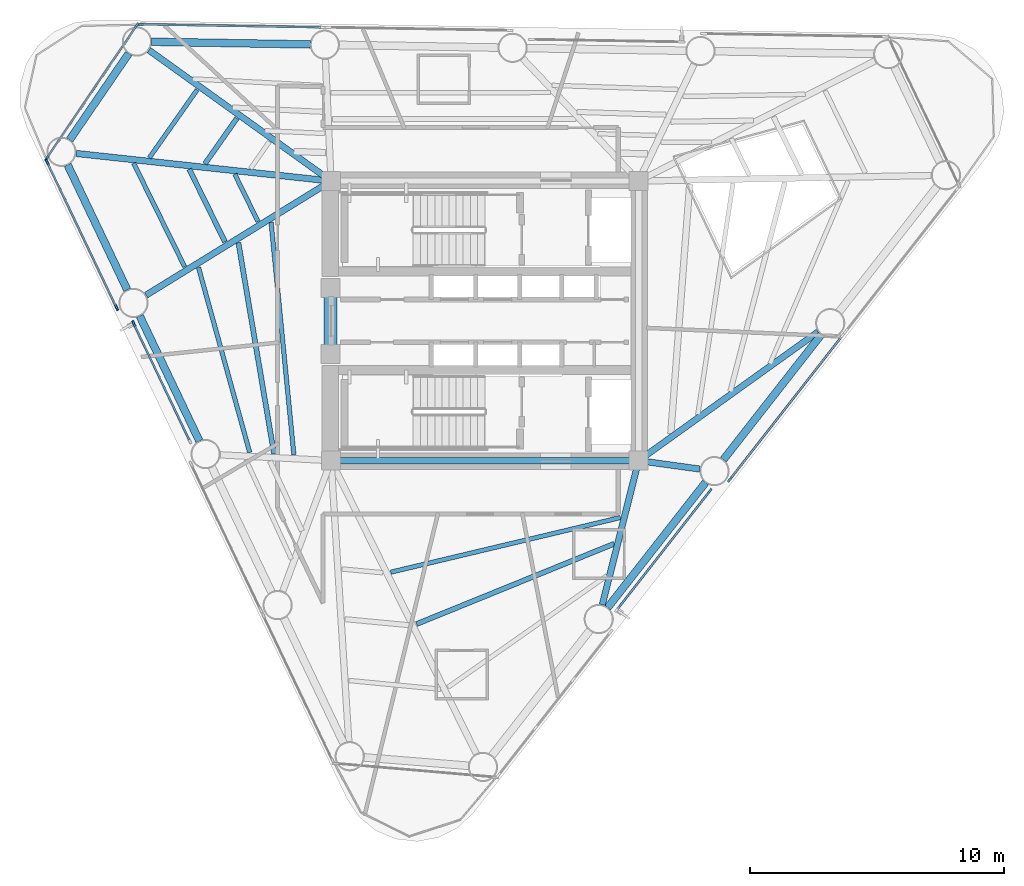
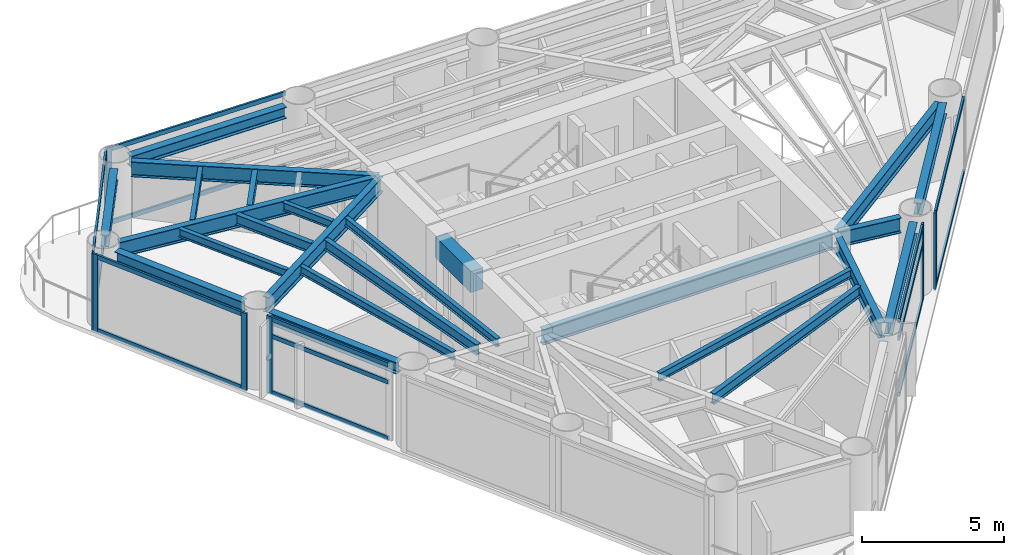
# One storey, part 2 of 10: 24 beams, 22 members, 6 elements without a shape of their own.
"""IFC4 building model written with IfcOpenShell, lengths in metres."""

from ifc_helpers import new_model, si_unit, direction, frame, origin, origin_2d, place, context, subcontext, project, spatial, rectangle, i_section, extrude, source, transform, mapped, material, layer, layer_set, material_profile, profile_set, type_object, element, aggregate, save


model = new_model("IFC4")

# Units and contexts
model_context = context("Model", 3, precision=1e-05, world=origin(), true_north=direction((0.0, 1.0)))
body_context = subcontext(model_context, "Body", "Model", "MODEL_VIEW")
ifc_project = project(units=[si_unit("LENGTHUNIT", "METRE"), si_unit("AREAUNIT", "SQUARE_METRE"), si_unit("VOLUMEUNIT", "CUBIC_METRE"), si_unit("PLANEANGLEUNIT", "RADIAN"), si_unit("MASSUNIT", "GRAM", prefix="KILO")], contexts=[model_context])

# Site, building, storey
site_placement = place(None, origin())
site = spatial("IfcSite", under=ifc_project, at=site_placement, CompositionType="ELEMENT")
building_placement = place(site_placement, origin())
building = spatial("IfcBuilding", under=site, at=building_placement, Name="Yunling Apex Tower", CompositionType="ELEMENT")
storey_placement = place(building_placement, frame((0.0, 0.0, 215.60009765625)))
storey = spatial("IfcBuildingStorey", under=building, at=storey_placement, Name="L53", CompositionType="ELEMENT", Elevation=215.60009765625)

# Beams
ifc_material_1 = material(Name="Concrete C50", Category="concrete")
ifc_material_profile_1 = material_profile(ifc_material_1, rectangle(XDim=0.5, YDim=0.89990234375, at=origin_2d()))
ifc_profile_set_1 = profile_set([ifc_material_profile_1], Name="Concrete C50")
beam_type_1 = type_object("IfcBeamType", Name="BC-CPL-2", PredefinedType="BEAM", material=ifc_profile_set_1)
shared_shape_1 = source(origin(), body_context, "Body", "SweptSolid", [
    extrude(rectangle(XDim=0.5, YDim=0.89990234375, at=origin_2d()), origin(), (0.0, 0.0, 1.0), 2.5),
])
beam_1_placement = place(storey_placement, frame((-6.074951171875, -1.25, 2.77978515625), z_axis=(0.0, 1.0, 0.0), x_axis=(-1.0, 0.0, 0.0)))
element("IfcBeam", 1, at=beam_1_placement, inside=storey, type_object=beam_type_1, Name="L53 Core West Portal Coupling Beam", PredefinedType="BEAM", context=body_context, shape_type="MappedRepresentation", body=[
    mapped(shared_shape_1, transform((0.0, 0.0, 0.0), scale=1.0)),
])
ifc_material_2 = material(Name="Steel Q355B", Category="steel")
ifc_material_profile_2 = material_profile(ifc_material_2, i_section(OverallWidth=0.25, OverallDepth=0.64990234375, WebThickness=0.011962890625, FlangeThickness=0.02001953125, FilletRadius=0.02392578125, at=origin_2d()))
ifc_profile_set_2 = profile_set([ifc_material_profile_2], Name="Steel Q355B")
beam_type_2 = type_object("IfcBeamType", Name="BG-PRI-4", PredefinedType="USERDEFINED", material=ifc_profile_set_2)
shared_shape_2 = source(origin(), body_context, "Body", "SweptSolid", [
    extrude(i_section(OverallWidth=0.25, OverallDepth=0.64990234375, WebThickness=0.011962890625, FlangeThickness=0.02001953125, FilletRadius=0.02392578125, at=origin_2d()), origin(), (0.0, 0.0, 1.0), 11.7998046875),
])
beam_2_placement = place(storey_placement, frame((-5.89990234375, -5.5, 2.90478515625), z_axis=(1.0, 0.0, 0.0), x_axis=(0.0, 1.0, 0.0)))
element("IfcBeam", 2, at=beam_2_placement, inside=storey, type_object=beam_type_2, Name="L53 Core Ring Tie Beam 1", ObjectType="GIRDER", PredefinedType="USERDEFINED", context=body_context, shape_type="MappedRepresentation", body=[
    mapped(shared_shape_2, transform((0.0, 0.0, 0.0), scale=1.0)),
])
ifc_material_profile_3 = material_profile(ifc_material_2, i_section(OverallWidth=0.300048828125, OverallDepth=0.489990234375, WebThickness=0.010986328125, FlangeThickness=0.01806640625, FilletRadius=0.02197265625, at=origin_2d()))
ifc_profile_set_3 = profile_set([ifc_material_profile_3], Name="Steel Q355B")
beam_type_3 = type_object("IfcBeamType", Name="BP-SPN-2", PredefinedType="SPANDREL", material=ifc_profile_set_3)
shared_shape_3 = source(origin(), body_context, "Body", "SweptSolid", [
    extrude(i_section(OverallWidth=0.300048828125, OverallDepth=0.489990234375, WebThickness=0.010986328125, FlangeThickness=0.01806640625, FilletRadius=0.02197265625, at=origin_2d()), origin(), (0.0, 0.0, 1.0), 6.253173828125),
])
for number, where, z_axis, x_axis, name in (
    (3, (4.831298828125, -11.2841796875, 2.98486328125), (0.61621666878, 0.787576673803, 0.0), (-0.787576673803, 0.61621666878, 0.0), "L53 Perimeter Spandrel Beam 2"),
    (4, (9.3857421875, -5.463134765625, 2.98486328125), (0.61621666878, 0.787576673803, 0.0), (-0.787576673803, 0.61621666878, 0.0), "L53 Perimeter Spandrel Beam 3"),
    (5, (-6.86669921875, 10.875, 2.98486328125), (-0.999859061432, 0.016788605428, 0.0), (-0.016788605428, -0.999859061432, 0.0), "L53 Perimeter Spandrel Beam 9"),
):
    element("IfcBeam", number, at=place(storey_placement, frame(where, z_axis=z_axis, x_axis=x_axis)), inside=storey, type_object=beam_type_3, Name=name, PredefinedType="SPANDREL", context=body_context, shape_type="MappedRepresentation", body=[
        mapped(shared_shape_3, transform((0.0, 0.0, 0.0), scale=1.0)),
    ])
shared_shape_4 = source(origin(), body_context, "Body", "SweptSolid", [
    extrude(i_section(OverallWidth=0.300048828125, OverallDepth=0.489990234375, WebThickness=0.010986328125, FlangeThickness=0.01806640625, FilletRadius=0.02197265625, at=origin_2d()), origin(), (0.0, 0.0, 1.0), 4.121337890625),
])
beam_3_placement = place(storey_placement, frame((-14.009033203125, 10.519775390625, 2.98486328125), z_axis=(-0.564775228093, -0.825244776858, 0.0), x_axis=(0.825244776858, -0.564775228093, 0.0)))
element("IfcBeam", 6, at=beam_3_placement, inside=storey, type_object=beam_type_3, Name="L53 Perimeter Spandrel Beam 10", PredefinedType="SPANDREL", context=body_context, shape_type="MappedRepresentation", body=[
    mapped(shared_shape_4, transform((0.0, 0.0, 0.0), scale=1.0)),
])
shared_shape_5 = source(origin(), body_context, "Body", "SweptSolid", [
    extrude(i_section(OverallWidth=0.300048828125, OverallDepth=0.489990234375, WebThickness=0.010986328125, FlangeThickness=0.01806640625, FilletRadius=0.02197265625, at=origin_2d()), origin(), (0.0, 0.0, 1.0), 5.4482421875),
])
for number, where, z_axis, x_axis, name in (
    (7, (-16.4130859375, 6.135498046875, 2.98486328125), (0.430538797564, -0.902572071246, 0.0), (0.902572071246, 0.430538797564, 0.0), "L53 Perimeter Spandrel Beam 11"),
    (8, (-13.577392578125, 0.190673828125, 2.98486328125), (0.430502292287, -0.902589483839, 0.0), (0.902589483839, 0.430502292287, 0.0), "L53 Perimeter Spandrel Beam 12"),
):
    element("IfcBeam", number, at=place(storey_placement, frame(where, z_axis=z_axis, x_axis=x_axis)), inside=storey, type_object=beam_type_3, Name=name, PredefinedType="SPANDREL", context=body_context, shape_type="MappedRepresentation", body=[
        mapped(shared_shape_5, transform((0.0, 0.0, 0.0), scale=1.0)),
    ])
shared_shape_6 = source(origin(), body_context, "Body", "SweptSolid", [
    extrude(i_section(OverallWidth=0.25, OverallDepth=0.64990234375, WebThickness=0.011962890625, FlangeThickness=0.02001953125, FilletRadius=0.02392578125, at=origin_2d()), origin(), (0.0, 0.0, 1.0), 5.763427734375),
])
beam_4_placement = place(storey_placement, frame((4.623291015625, -11.166748046875, 2.90478515625), z_axis=(0.244159894622, 0.969734987436, 0.0), x_axis=(-0.969734987436, 0.244159894622, 0.0)))
element("IfcBeam", 9, at=beam_4_placement, inside=storey, type_object=beam_type_2, Name="L53 Radial Primary Girder R02", ObjectType="GIRDER", PredefinedType="USERDEFINED", context=body_context, shape_type="MappedRepresentation", body=[
    mapped(shared_shape_6, transform((0.0, 0.0, 0.0), scale=1.0)),
])
shared_shape_7 = source(origin(), body_context, "Body", "SweptSolid", [
    extrude(i_section(OverallWidth=0.25, OverallDepth=0.64990234375, WebThickness=0.011962890625, FlangeThickness=0.02001953125, FilletRadius=0.02392578125, at=origin_2d()), origin(), (0.0, 0.0, 1.0), 2.35009765625),
])
beam_5_placement = place(storey_placement, frame((8.45751953125, -5.831787109375, 2.90478515625), z_axis=(-0.990639545436, 0.136503813203, 0.0), x_axis=(-0.136503813203, -0.990639545436, 0.0)))
element("IfcBeam", 10, at=beam_5_placement, inside=storey, type_object=beam_type_2, Name="L53 Radial Primary Girder R03", ObjectType="GIRDER", PredefinedType="USERDEFINED", context=body_context, shape_type="MappedRepresentation", body=[
    mapped(shared_shape_7, transform((0.0, 0.0, 0.0), scale=1.0)),
])
shared_shape_8 = source(origin(), body_context, "Body", "SweptSolid", [
    extrude(i_section(OverallWidth=0.25, OverallDepth=0.64990234375, WebThickness=0.011962890625, FlangeThickness=0.02001953125, FilletRadius=0.02392578125, at=origin_2d()), origin(), (0.0, 0.0, 1.0), 8.616455078125),
])
beam_6_placement = place(storey_placement, frame((13.11572265625, -0.43017578125, 2.90478515625), z_axis=(-0.812487192657, -0.58297904059, 0.0), x_axis=(0.58297904059, -0.812487192657, 0.0)))
element("IfcBeam", 11, at=beam_6_placement, inside=storey, type_object=beam_type_2, Name="L53 Radial Primary Girder R04", ObjectType="GIRDER", PredefinedType="USERDEFINED", context=body_context, shape_type="MappedRepresentation", body=[
    mapped(shared_shape_8, transform((0.0, 0.0, 0.0), scale=1.0)),
])
shared_shape_9 = source(origin(), body_context, "Body", "SweptSolid", [
    extrude(i_section(OverallWidth=0.25, OverallDepth=0.64990234375, WebThickness=0.011962890625, FlangeThickness=0.02001953125, FilletRadius=0.02392578125, at=origin_2d()), origin(), (0.0, 0.0, 1.0), 8.742919921875),
])
beam_7_placement = place(storey_placement, frame((-13.21435546875, 10.649169921875, 2.90478515625), z_axis=(0.812022401907, -0.583626266373, 0.0), x_axis=(0.583626266373, 0.812022401907, 0.0)))
element("IfcBeam", 12, at=beam_7_placement, inside=storey, type_object=beam_type_2, Name="L53 Radial Primary Girder R10", ObjectType="GIRDER", PredefinedType="USERDEFINED", context=body_context, shape_type="MappedRepresentation", body=[
    mapped(shared_shape_9, transform((0.0, 0.0, 0.0), scale=1.0)),
])
shared_shape_10 = source(origin(), body_context, "Body", "SweptSolid", [
    extrude(i_section(OverallWidth=0.25, OverallDepth=0.64990234375, WebThickness=0.011962890625, FlangeThickness=0.02001953125, FilletRadius=0.02392578125, at=origin_2d()), origin(), (0.0, 0.0, 1.0), 10.007080078125),
])
beam_8_placement = place(storey_placement, frame((-16.078369140625, 6.586181640625, 2.90478515625), z_axis=(0.994184902243, -0.107686490111, 0.0), x_axis=(0.107686490111, 0.994184902243, 0.0)))
element("IfcBeam", 13, at=beam_8_placement, inside=storey, type_object=beam_type_2, Name="L53 Radial Primary Girder R11", ObjectType="GIRDER", PredefinedType="USERDEFINED", context=body_context, shape_type="MappedRepresentation", body=[
    mapped(shared_shape_10, transform((0.0, 0.0, 0.0), scale=1.0)),
])
shared_shape_11 = source(origin(), body_context, "Body", "SweptSolid", [
    extrude(i_section(OverallWidth=0.25, OverallDepth=0.64990234375, WebThickness=0.011962890625, FlangeThickness=0.02001953125, FilletRadius=0.02392578125, at=origin_2d()), origin(), (0.0, 0.0, 1.0), 8.4697265625),
])
beam_9_placement = place(storey_placement, frame((-13.326171875, 1.010498046875, 2.90478515625), z_axis=(0.851035190572, 0.525108659621, 0.0), x_axis=(-0.525108659621, 0.851035190572, 0.0)))
element("IfcBeam", 14, at=beam_9_placement, inside=storey, type_object=beam_type_2, Name="L53 Radial Primary Girder R12", ObjectType="GIRDER", PredefinedType="USERDEFINED", context=body_context, shape_type="MappedRepresentation", body=[
    mapped(shared_shape_11, transform((0.0, 0.0, 0.0), scale=1.0)),
])
ifc_material_profile_4 = material_profile(ifc_material_2, i_section(OverallWidth=0.199951171875, OverallDepth=0.449951171875, WebThickness=0.009033203125, FlangeThickness=0.013916015625, FilletRadius=0.01806640625, at=origin_2d()))
ifc_profile_set_4 = profile_set([ifc_material_profile_4], Name="Steel Q355B")
beam_type_4 = type_object("IfcBeamType", Name="BS-SEC-3", PredefinedType="BEAM", material=ifc_profile_set_4)
shared_shape_12 = source(origin(), body_context, "Body", "SweptSolid", [
    extrude(i_section(OverallWidth=0.199951171875, OverallDepth=0.449951171875, WebThickness=0.009033203125, FlangeThickness=0.013916015625, FilletRadius=0.01806640625, at=origin_2d()), origin(), (0.0, 0.0, 1.0), 8.396240234375),
])
beam_10_placement = place(storey_placement, frame((-2.684326171875, -11.9287109375, 3.0048828125), z_axis=(0.926431402479, 0.376463619092, 0.0), x_axis=(-0.376463619092, 0.926431402479, 0.0)))
element("IfcBeam", 15, at=beam_10_placement, inside=storey, type_object=beam_type_4, Name="L53 Composite Floor Beam BS-1", PredefinedType="BEAM", context=body_context, shape_type="MappedRepresentation", body=[
    mapped(shared_shape_12, transform((0.0, 0.0, 0.0), scale=1.0)),
])
ifc_material_profile_5 = material_profile(ifc_material_2, i_section(OverallWidth=0.175048828125, OverallDepth=0.35009765625, WebThickness=0.007080078125, FlangeThickness=0.010986328125, FilletRadius=0.013916015625, at=origin_2d()))
ifc_profile_set_5 = profile_set([ifc_material_profile_5], Name="Steel Q355B")
beam_type_5 = type_object("IfcBeamType", Name="BJ-JST-1", PredefinedType="JOIST", material=ifc_profile_set_5)
shared_shape_13 = source(origin(), body_context, "Body", "SweptSolid", [
    extrude(i_section(OverallWidth=0.175048828125, OverallDepth=0.35009765625, WebThickness=0.007080078125, FlangeThickness=0.010986328125, FilletRadius=0.013916015625, at=origin_2d()), origin(), (0.0, 0.0, 1.0), 9.2919921875),
])
beam_11_placement = place(storey_placement, frame((-3.69970703125, -9.88916015625, 3.054931640625), z_axis=(0.972847358166, 0.231447656523, 0.0), x_axis=(-0.231447656523, 0.972847358166, 0.0)))
element("IfcBeam", 16, at=beam_11_placement, inside=storey, type_object=beam_type_5, Name="L53 Composite Floor Joist BJ3-1", PredefinedType="JOIST", context=body_context, shape_type="MappedRepresentation", body=[
    mapped(shared_shape_13, transform((0.0, 0.0, 0.0), scale=1.0)),
])
shared_shape_14 = source(origin(), body_context, "Body", "SweptSolid", [
    extrude(i_section(OverallWidth=0.199951171875, OverallDepth=0.449951171875, WebThickness=0.009033203125, FlangeThickness=0.013916015625, FilletRadius=0.01806640625, at=origin_2d()), origin(), (0.0, 0.0, 1.0), 2.18505859375),
])
beam_12_placement = place(storey_placement, frame((-9.756591796875, 7.966796875, 3.0048828125), z_axis=(-0.57454920808, -0.818470040682, 0.0), x_axis=(0.818470040682, -0.57454920808, 0.0)))
element("IfcBeam", 17, at=beam_12_placement, inside=storey, type_object=beam_type_4, Name="L53 Composite Floor Beam BS-10", PredefinedType="BEAM", context=body_context, shape_type="MappedRepresentation", body=[
    mapped(shared_shape_14, transform((0.0, 0.0, 0.0), scale=1.0)),
])
shared_shape_15 = source(origin(), body_context, "Body", "SweptSolid", [
    extrude(i_section(OverallWidth=0.175048828125, OverallDepth=0.35009765625, WebThickness=0.007080078125, FlangeThickness=0.010986328125, FilletRadius=0.013916015625, at=origin_2d()), origin(), (0.0, 0.0, 1.0), 3.270263671875),
])
beam_13_placement = place(storey_placement, frame((-11.318603515625, 9.089599609375, 3.054931640625), z_axis=(-0.575524843555, -0.817784295797, 0.0), x_axis=(0.817784295797, -0.575524843555, 0.0)))
element("IfcBeam", 18, at=beam_13_placement, inside=storey, type_object=beam_type_5, Name="L53 Composite Floor Joist BJ1-10", PredefinedType="JOIST", context=body_context, shape_type="MappedRepresentation", body=[
    mapped(shared_shape_15, transform((0.0, 0.0, 0.0), scale=1.0)),
])
shared_shape_16 = source(origin(), body_context, "Body", "SweptSolid", [
    extrude(i_section(OverallWidth=0.199951171875, OverallDepth=0.449951171875, WebThickness=0.009033203125, FlangeThickness=0.013916015625, FilletRadius=0.01806640625, at=origin_2d()), origin(), (0.0, 0.0, 1.0), 3.1845703125),
])
beam_14_placement = place(storey_placement, frame((-11.63037109375, 5.968505859375, 3.0048828125), z_axis=(0.441285246196, -0.897366887895, 0.0), x_axis=(0.897366887895, 0.441285246196, 0.0)))
element("IfcBeam", 19, at=beam_14_placement, inside=storey, type_object=beam_type_4, Name="L53 Composite Floor Beam BS-11", PredefinedType="BEAM", context=body_context, shape_type="MappedRepresentation", body=[
    mapped(shared_shape_16, transform((0.0, 0.0, 0.0), scale=1.0)),
])
shared_shape_17 = source(origin(), body_context, "Body", "SweptSolid", [
    extrude(i_section(OverallWidth=0.175048828125, OverallDepth=0.35009765625, WebThickness=0.007080078125, FlangeThickness=0.010986328125, FilletRadius=0.013916015625, at=origin_2d()), origin(), (0.0, 0.0, 1.0), 4.541259765625),
])
beam_15_placement = place(storey_placement, frame((-13.81884765625, 6.205810546875, 3.054931640625), z_axis=(0.442066776363, -0.896982143209, 0.0), x_axis=(0.896982143209, 0.442066776363, 0.0)))
element("IfcBeam", 20, at=beam_15_placement, inside=storey, type_object=beam_type_5, Name="L53 Composite Floor Joist BJ1-11", PredefinedType="JOIST", context=body_context, shape_type="MappedRepresentation", body=[
    mapped(shared_shape_17, transform((0.0, 0.0, 0.0), scale=1.0)),
])
shared_shape_18 = source(origin(), body_context, "Body", "SweptSolid", [
    extrude(i_section(OverallWidth=0.175048828125, OverallDepth=0.35009765625, WebThickness=0.007080078125, FlangeThickness=0.010986328125, FilletRadius=0.013916015625, at=origin_2d()), origin(), (0.0, 0.0, 1.0), 2.07421875),
])
beam_16_placement = place(storey_placement, frame((-9.839599609375, 5.7744140625, 3.054931640625), z_axis=(0.439758949759, -0.898115842254, 0.0), x_axis=(0.898115842254, 0.439758949759, 0.0)))
element("IfcBeam", 21, at=beam_16_placement, inside=storey, type_object=beam_type_5, Name="L53 Composite Floor Joist BJ3-11", PredefinedType="JOIST", context=body_context, shape_type="MappedRepresentation", body=[
    mapped(shared_shape_18, transform((0.0, 0.0, 0.0), scale=1.0)),
])
shared_shape_19 = source(origin(), body_context, "Body", "SweptSolid", [
    extrude(i_section(OverallWidth=0.199951171875, OverallDepth=0.449951171875, WebThickness=0.009033203125, FlangeThickness=0.013916015625, FilletRadius=0.01806640625, at=origin_2d()), origin(), (0.0, 0.0, 1.0), 8.41943359375),
])
beam_17_placement = place(storey_placement, frame((-9.695556640625, 3.076416015625, 3.0048828125), z_axis=(0.16647230798, -0.986046130095, 0.0), x_axis=(0.986046130095, 0.16647230798, 0.0)))
element("IfcBeam", 22, at=beam_17_placement, inside=storey, type_object=beam_type_4, Name="L53 Composite Floor Beam BS-12", PredefinedType="BEAM", context=body_context, shape_type="MappedRepresentation", body=[
    mapped(shared_shape_19, transform((0.0, 0.0, 0.0), scale=1.0)),
])
shared_shape_20 = source(origin(), body_context, "Body", "SweptSolid", [
    extrude(i_section(OverallWidth=0.175048828125, OverallDepth=0.35009765625, WebThickness=0.007080078125, FlangeThickness=0.010986328125, FilletRadius=0.013916015625, at=origin_2d()), origin(), (0.0, 0.0, 1.0), 7.554931640625),
])
beam_18_placement = place(storey_placement, frame((-11.265380859375, 2.1015625, 3.054931640625), z_axis=(0.266700380195, -0.963779490965, 0.0), x_axis=(0.963779490965, 0.266700380195, 0.0)))
element("IfcBeam", 23, at=beam_18_placement, inside=storey, type_object=beam_type_5, Name="L53 Composite Floor Joist BJ1-12", PredefinedType="JOIST", context=body_context, shape_type="MappedRepresentation", body=[
    mapped(shared_shape_20, transform((0.0, 0.0, 0.0), scale=1.0)),
])
shared_shape_21 = source(origin(), body_context, "Body", "SweptSolid", [
    extrude(i_section(OverallWidth=0.175048828125, OverallDepth=0.35009765625, WebThickness=0.007080078125, FlangeThickness=0.010986328125, FilletRadius=0.013916015625, at=origin_2d()), origin(), (0.0, 0.0, 1.0), 9.183837890625),
])
beam_19_placement = place(storey_placement, frame((-8.4091796875, 3.87548828125, 3.054931640625), z_axis=(0.097534767925, -0.995232118174, 0.0), x_axis=(0.995232118174, 0.097534767925, 0.0)))
element("IfcBeam", 24, at=beam_19_placement, inside=storey, type_object=beam_type_5, Name="L53 Composite Floor Joist BJ3-12", PredefinedType="JOIST", context=body_context, shape_type="MappedRepresentation", body=[
    mapped(shared_shape_21, transform((0.0, 0.0, 0.0), scale=1.0)),
])

# Curtain wall, member
ifc_material_3 = material(Name="Bronze anodised aluminium", Category="aluminium")
ifc_layer = layer(ifc_material_3, 0.239990234375)
ifc_layer_set = layer_set([ifc_layer], Name="Bronze anodised aluminium")
curtain_wall_type = type_object("IfcCurtainWallType", Name="CW-SYS-3", PredefinedType="NOTDEFINED", material=ifc_layer_set)
curtain_wall_1_placement = place(storey_placement, origin())
curtain_wall_1 = element("IfcCurtainWall", 25, at=curtain_wall_1_placement, inside=storey, type_object=curtain_wall_type, Name="CW-L53-F1-B2", PredefinedType="NOTDEFINED")
ifc_material_profile_6 = material_profile(ifc_material_3, rectangle(XDim=0.080078125, YDim=0.239990234375, at=origin_2d()))
ifc_profile_set_6 = profile_set([ifc_material_profile_6], Name="Bronze anodised aluminium")
member_type_1 = type_object("IfcMemberType", Name="CW-MUL-3", PredefinedType="MULLION", material=ifc_profile_set_6)
shared_shape_22 = source(origin(), body_context, "Body", "SweptSolid", [
    extrude(rectangle(XDim=0.080078125, YDim=0.239990234375, at=origin_2d()), origin(), (0.0, 0.0, 1.0), 3.329833984375),
])
member_1_placement = place(storey_placement, frame((8.846923828125, -6.70361328125, -0.050048828125), z_axis=(0.0, 0.0, 1.0), x_axis=(-0.787576499109, 0.616216892053, 0.0)))
member_1 = element("IfcMember", 26, at=member_1_placement, type_object=member_type_1, Name="CW-SYS-3 mullion 2", PredefinedType="MULLION", context=body_context, shape_type="MappedRepresentation", body=[
    mapped(shared_shape_22, transform((0.0, 0.0, 0.0), scale=1.0)),
])

curtain_wall_2_placement = place(storey_placement, origin())
curtain_wall_2 = element("IfcCurtainWall", 27, at=curtain_wall_2_placement, inside=storey, type_object=curtain_wall_type, Name="CW-L53-F1-B3", PredefinedType="NOTDEFINED")
member_2_placement = place(storey_placement, frame((9.64453125, -6.23583984375, -0.050048828125), z_axis=(0.0, 0.0, 1.0), x_axis=(-0.787589332433, 0.616200489644, 0.0)))
member_2 = element("IfcMember", 28, at=member_2_placement, type_object=member_type_1, Name="CW-SYS-3 mullion 1", PredefinedType="MULLION", context=body_context, shape_type="MappedRepresentation", body=[
    mapped(shared_shape_22, transform((0.0, 0.0, 0.0), scale=1.0)),
])

curtain_wall_3_placement = place(storey_placement, origin())
curtain_wall_3 = element("IfcCurtainWall", 29, at=curtain_wall_3_placement, inside=storey, type_object=curtain_wall_type, Name="CW-L53-F2-B4", PredefinedType="NOTDEFINED")
member_3_placement = place(storey_placement, frame((-13.556396484375, 11.667236328125, -0.050048828125), z_axis=(0.0, 0.0, 1.0), x_axis=(-0.016761362354, -0.999859518498, 0.0)))
member_3 = element("IfcMember", 30, at=member_3_placement, type_object=member_type_1, Name="CW-SYS-3 mullion 2", PredefinedType="MULLION", context=body_context, shape_type="MappedRepresentation", body=[
    mapped(shared_shape_22, transform((0.0, 0.0, 0.0), scale=1.0)),
])

# Curtain wall, members
curtain_wall_4_placement = place(storey_placement, origin())
curtain_wall_4 = element("IfcCurtainWall", 31, at=curtain_wall_4_placement, inside=storey, type_object=curtain_wall_type, Name="CW-L53-CRN2", PredefinedType="NOTDEFINED")
member_4_placement = place(storey_placement, frame((-13.698974609375, 11.6162109375, -0.050048828125), z_axis=(0.0, 0.0, 1.0), x_axis=(0.828106898006, -0.56057021458, 0.0)))
member_4 = element("IfcMember", 32, at=member_4_placement, type_object=member_type_1, Name="CW-SYS-3 mullion 1", PredefinedType="MULLION", context=body_context, shape_type="MappedRepresentation", body=[
    mapped(shared_shape_22, transform((0.0, 0.0, 0.0), scale=1.0)),
])
member_5_placement = place(storey_placement, frame((-17.231201171875, 6.398193359375, -0.050048828125), z_axis=(0.0, 0.0, 1.0), x_axis=(0.828106898006, -0.56057021458, 0.0)))
member_5 = element("IfcMember", 33, at=member_5_placement, type_object=member_type_1, Name="CW-SYS-3 mullion 2", PredefinedType="MULLION", context=body_context, shape_type="MappedRepresentation", body=[
    mapped(shared_shape_22, transform((0.0, 0.0, 0.0), scale=1.0)),
])

curtain_wall_5_placement = place(storey_placement, origin())
curtain_wall_5 = element("IfcCurtainWall", 34, at=curtain_wall_5_placement, inside=storey, type_object=curtain_wall_type, Name="CW-L53-F3-B1", PredefinedType="NOTDEFINED")
member_6_placement = place(storey_placement, frame((-17.219970703125, 6.248046875, -0.050048828125), z_axis=(0.0, 0.0, 1.0), x_axis=(0.902582193367, 0.430517577128, 0.0)))
member_6 = element("IfcMember", 35, at=member_6_placement, type_object=member_type_1, Name="CW-SYS-3 mullion 1", PredefinedType="MULLION", context=body_context, shape_type="MappedRepresentation", body=[
    mapped(shared_shape_22, transform((0.0, 0.0, 0.0), scale=1.0)),
])
member_7_placement = place(storey_placement, frame((-14.48779296875, 0.52001953125, -0.050048828125), z_axis=(0.0, 0.0, 1.0), x_axis=(0.902582193367, 0.430517577128, 0.0)))
member_7 = element("IfcMember", 36, at=member_7_placement, type_object=member_type_1, Name="CW-SYS-3 mullion 2", PredefinedType="MULLION", context=body_context, shape_type="MappedRepresentation", body=[
    mapped(shared_shape_22, transform((0.0, 0.0, 0.0), scale=1.0)),
])

# Curtain wall, member
curtain_wall_6_placement = place(storey_placement, origin())
curtain_wall_6 = element("IfcCurtainWall", 37, at=curtain_wall_6_placement, inside=storey, type_object=curtain_wall_type, Name="CW-L53-F3-B2", PredefinedType="NOTDEFINED")
member_8_placement = place(storey_placement, frame((-13.810791015625, -0.110107421875, -0.050048828125), z_axis=(0.0, 0.0, 1.0), x_axis=(0.902583049107, 0.430515783062, 0.0)))
member_8 = element("IfcMember", 38, at=member_8_placement, type_object=member_type_1, Name="CW-SYS-3 mullion 1", PredefinedType="MULLION", context=body_context, shape_type="MappedRepresentation", body=[
    mapped(shared_shape_22, transform((0.0, 0.0, 0.0), scale=1.0)),
])

# Member
ifc_material_profile_7 = material_profile(ifc_material_3, rectangle(XDim=0.080078125, YDim=0.18505859375, at=origin_2d()))
ifc_profile_set_7 = profile_set([ifc_material_profile_7], Name="Bronze anodised aluminium")
member_type_2 = type_object("IfcMemberType", Name="CW-TRN-3", PredefinedType="USERDEFINED", material=ifc_profile_set_7)
shared_shape_23 = source(origin(), body_context, "Body", "SweptSolid", [
    extrude(rectangle(XDim=0.080078125, YDim=0.18505859375, at=origin_2d()), origin(), (0.0, 0.0, 1.0), 5.8388671875),
])
member_9_placement = place(storey_placement, frame((5.226806640625, -11.33056640625, 0.039794921875), z_axis=(0.616198894741, 0.787590580264, 0.0), x_axis=(-0.787590580264, 0.616198894741, 0.0)))
member_9 = element("IfcMember", 39, at=member_9_placement, type_object=member_type_2, Name="CW-SYS-3 transom 1.1", ObjectType="TRANSOM", PredefinedType="USERDEFINED", context=body_context, shape_type="MappedRepresentation", body=[
    mapped(shared_shape_23, transform((0.0, 0.0, 0.0), scale=1.0)),
])

member_10_placement = place(storey_placement, frame((5.226806640625, -11.33056640625, 2.45458984375), z_axis=(0.616198894741, 0.787590580264, 0.0), x_axis=(-0.787590580264, 0.616198894741, 0.0)))
member_10 = element("IfcMember", 40, at=member_10_placement, type_object=member_type_2, Name="CW-SYS-3 transom 1.2", ObjectType="TRANSOM", PredefinedType="USERDEFINED", context=body_context, shape_type="MappedRepresentation", body=[
    mapped(shared_shape_23, transform((0.0, 0.0, 0.0), scale=1.0)),
])

member_11_placement = place(storey_placement, frame((5.226806640625, -11.33056640625, 3.18994140625), z_axis=(0.616198894741, 0.787590580264, 0.0), x_axis=(-0.787590580264, 0.616198894741, 0.0)))
member_11 = element("IfcMember", 41, at=member_11_placement, type_object=member_type_2, Name="CW-SYS-3 transom 1.3", ObjectType="TRANSOM", PredefinedType="USERDEFINED", context=body_context, shape_type="MappedRepresentation", body=[
    mapped(shared_shape_23, transform((0.0, 0.0, 0.0), scale=1.0)),
])

aggregate(curtain_wall_1, [member_1, member_9, member_10, member_11])

shared_shape_24 = source(origin(), body_context, "Body", "SweptSolid", [
    extrude(rectangle(XDim=0.080078125, YDim=0.18505859375, at=origin_2d()), origin(), (0.0, 0.0, 1.0), 7.0791015625),
])
member_12_placement = place(storey_placement, frame((9.666748046875, -6.20751953125, 0.039794921875), z_axis=(0.616192015574, 0.78759596237, 0.0), x_axis=(-0.78759596237, 0.616192015574, 0.0)))
member_12 = element("IfcMember", 42, at=member_12_placement, type_object=member_type_2, Name="CW-SYS-3 transom 1.1", ObjectType="TRANSOM", PredefinedType="USERDEFINED", context=body_context, shape_type="MappedRepresentation", body=[
    mapped(shared_shape_24, transform((0.0, 0.0, 0.0), scale=1.0)),
])

member_13_placement = place(storey_placement, frame((9.666748046875, -6.20751953125, 3.18994140625), z_axis=(0.616192015574, 0.78759596237, 0.0), x_axis=(-0.78759596237, 0.616192015574, 0.0)))
member_13 = element("IfcMember", 43, at=member_13_placement, type_object=member_type_2, Name="CW-SYS-3 transom 1.2", ObjectType="TRANSOM", PredefinedType="USERDEFINED", context=body_context, shape_type="MappedRepresentation", body=[
    mapped(shared_shape_24, transform((0.0, 0.0, 0.0), scale=1.0)),
])

aggregate(curtain_wall_2, [member_2, member_12, member_13])

shared_shape_25 = source(origin(), body_context, "Body", "SweptSolid", [
    extrude(rectangle(XDim=0.080078125, YDim=0.18505859375, at=origin_2d()), origin(), (0.0, 0.0, 1.0), 7.078857421875),
])
member_14_placement = place(storey_placement, frame((-6.4423828125, 11.548095703125, 0.039794921875), z_axis=(-0.999859516724, 0.016761468219, 0.0), x_axis=(-0.016761468219, -0.999859516724, 0.0)))
member_14 = element("IfcMember", 44, at=member_14_placement, type_object=member_type_2, Name="CW-SYS-3 transom 1.1", ObjectType="TRANSOM", PredefinedType="USERDEFINED", context=body_context, shape_type="MappedRepresentation", body=[
    mapped(shared_shape_25, transform((0.0, 0.0, 0.0), scale=1.0)),
])

member_15_placement = place(storey_placement, frame((-6.4423828125, 11.548095703125, 3.18994140625), z_axis=(-0.999859516724, 0.016761468219, 0.0), x_axis=(-0.016761468219, -0.999859516724, 0.0)))
member_15 = element("IfcMember", 45, at=member_15_placement, type_object=member_type_2, Name="CW-SYS-3 transom 1.2", ObjectType="TRANSOM", PredefinedType="USERDEFINED", context=body_context, shape_type="MappedRepresentation", body=[
    mapped(shared_shape_25, transform((0.0, 0.0, 0.0), scale=1.0)),
])

aggregate(curtain_wall_3, [member_3, member_14, member_15])

shared_shape_26 = source(origin(), body_context, "Body", "SweptSolid", [
    extrude(rectangle(XDim=0.080078125, YDim=0.18505859375, at=origin_2d()), origin(), (0.0, 0.0, 1.0), 6.229248046875),
])
member_16_placement = place(storey_placement, frame((-13.71923828125, 11.58642578125, 0.039794921875), z_axis=(-0.560574268249, -0.828104153942, 0.0), x_axis=(0.828104153942, -0.560574268249, 0.0)))
member_16 = element("IfcMember", 46, at=member_16_placement, type_object=member_type_2, Name="CW-SYS-3 transom 1.1", ObjectType="TRANSOM", PredefinedType="USERDEFINED", context=body_context, shape_type="MappedRepresentation", body=[
    mapped(shared_shape_26, transform((0.0, 0.0, 0.0), scale=1.0)),
])

member_17_placement = place(storey_placement, frame((-13.71923828125, 11.58642578125, 3.18994140625), z_axis=(-0.560574268249, -0.828104153942, 0.0), x_axis=(0.828104153942, -0.560574268249, 0.0)))
member_17 = element("IfcMember", 47, at=member_17_placement, type_object=member_type_2, Name="CW-SYS-3 transom 1.2", ObjectType="TRANSOM", PredefinedType="USERDEFINED", context=body_context, shape_type="MappedRepresentation", body=[
    mapped(shared_shape_26, transform((0.0, 0.0, 0.0), scale=1.0)),
])

aggregate(curtain_wall_4, [member_4, member_5, member_16, member_17])

shared_shape_27 = source(origin(), body_context, "Body", "SweptSolid", [
    extrude(rectangle(XDim=0.080078125, YDim=0.18505859375, at=origin_2d()), origin(), (0.0, 0.0, 1.0), 6.2744140625),
])
member_18_placement = place(storey_placement, frame((-17.20458984375, 6.215576171875, 0.039794921875), z_axis=(0.430513491492, -0.902584142141, 0.0), x_axis=(0.902584142141, 0.430513491492, 0.0)))
member_18 = element("IfcMember", 48, at=member_18_placement, type_object=member_type_2, Name="CW-SYS-3 transom 1.1", ObjectType="TRANSOM", PredefinedType="USERDEFINED", context=body_context, shape_type="MappedRepresentation", body=[
    mapped(shared_shape_27, transform((0.0, 0.0, 0.0), scale=1.0)),
])

member_19_placement = place(storey_placement, frame((-17.20458984375, 6.215576171875, 3.18994140625), z_axis=(0.430513491492, -0.902584142141, 0.0), x_axis=(0.902584142141, 0.430513491492, 0.0)))
member_19 = element("IfcMember", 49, at=member_19_placement, type_object=member_type_2, Name="CW-SYS-3 transom 1.2", ObjectType="TRANSOM", PredefinedType="USERDEFINED", context=body_context, shape_type="MappedRepresentation", body=[
    mapped(shared_shape_27, transform((0.0, 0.0, 0.0), scale=1.0)),
])

aggregate(curtain_wall_5, [member_6, member_7, member_18, member_19])

shared_shape_28 = source(origin(), body_context, "Body", "SweptSolid", [
    extrude(rectangle(XDim=0.080078125, YDim=0.18505859375, at=origin_2d()), origin(), (0.0, 0.0, 1.0), 5.034423828125),
])
member_20_placement = place(storey_placement, frame((-13.795166015625, -0.142578125, 0.039794921875), z_axis=(0.430492583081, -0.902594114712, 0.0), x_axis=(0.902594114712, 0.430492583081, 0.0)))
member_20 = element("IfcMember", 50, at=member_20_placement, type_object=member_type_2, Name="CW-SYS-3 transom 1.1", ObjectType="TRANSOM", PredefinedType="USERDEFINED", context=body_context, shape_type="MappedRepresentation", body=[
    mapped(shared_shape_28, transform((0.0, 0.0, 0.0), scale=1.0)),
])

member_21_placement = place(storey_placement, frame((-13.795166015625, -0.142578125, 2.45458984375), z_axis=(0.430492583081, -0.902594114712, 0.0), x_axis=(0.902594114712, 0.430492583081, 0.0)))
member_21 = element("IfcMember", 51, at=member_21_placement, type_object=member_type_2, Name="CW-SYS-3 transom 1.2", ObjectType="TRANSOM", PredefinedType="USERDEFINED", context=body_context, shape_type="MappedRepresentation", body=[
    mapped(shared_shape_28, transform((0.0, 0.0, 0.0), scale=1.0)),
])

member_22_placement = place(storey_placement, frame((-13.795166015625, -0.142578125, 3.18994140625), z_axis=(0.430492583081, -0.902594114712, 0.0), x_axis=(0.902594114712, 0.430492583081, 0.0)))
member_22 = element("IfcMember", 52, at=member_22_placement, type_object=member_type_2, Name="CW-SYS-3 transom 1.3", ObjectType="TRANSOM", PredefinedType="USERDEFINED", context=body_context, shape_type="MappedRepresentation", body=[
    mapped(shared_shape_28, transform((0.0, 0.0, 0.0), scale=1.0)),
])

aggregate(curtain_wall_6, [member_8, member_20, member_21, member_22])

save(model, "model.ifc")
